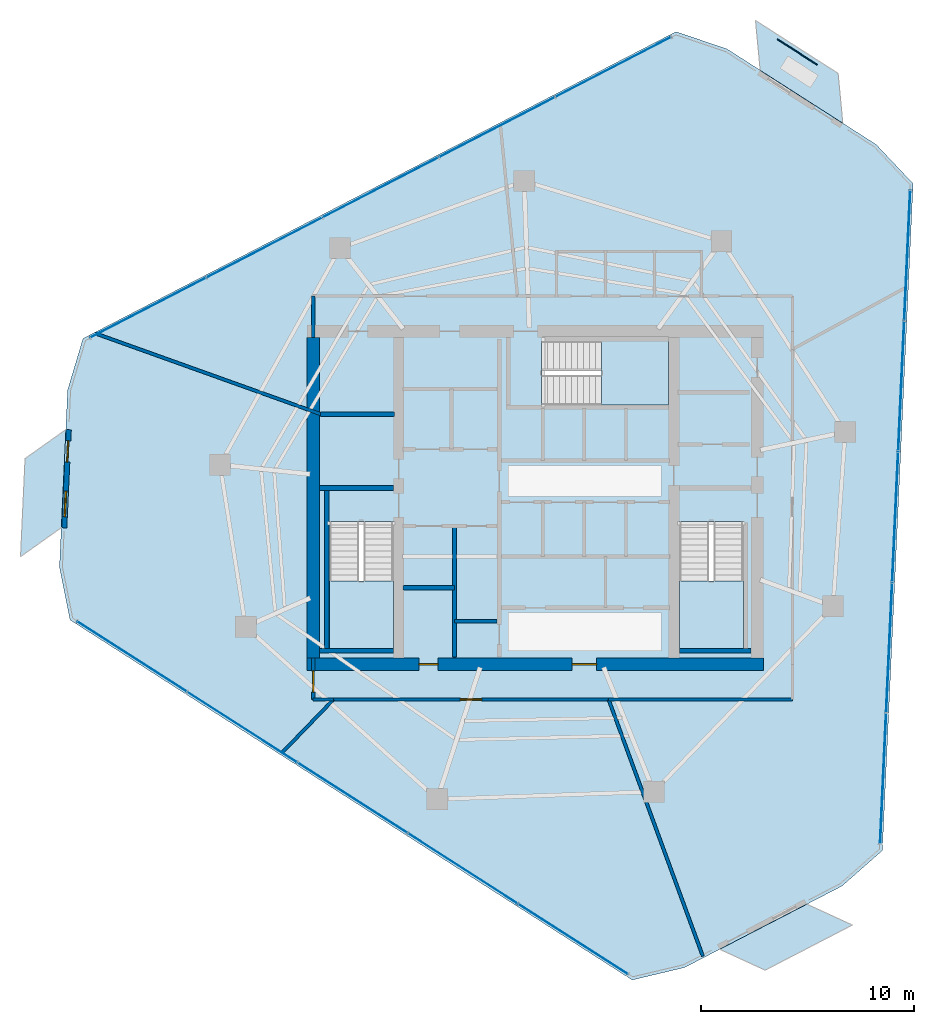
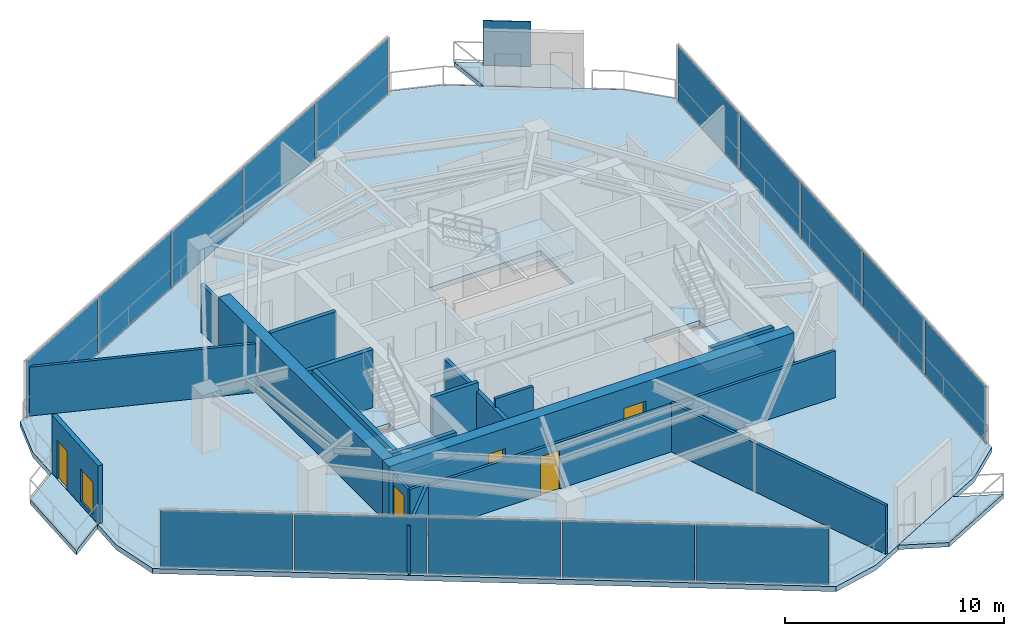
# One storey, part 15 of 20: 19 walls, 16 plates, 7 slabs, 5 doors, 1 window, 6 openings, 6 elements without a shape of their own.
"""IFC4 building model written with IfcOpenShell, lengths in metres."""

from ifc_helpers import new_model, si_unit, direction, frame, frame_2d, origin, origin_2d, place, context, subcontext, project, spatial, polyline, rectangle, outline, extrude, material, layer, layer_set, type_object, element, fill, aggregate, save


model = new_model("IFC4")

# Units and contexts
model_context = context("Model", 3, precision=1e-05, world=origin(), true_north=direction((0.0, 1.0)))
body_context = subcontext(model_context, "Body", "Model", "MODEL_VIEW")
ifc_project = project(units=[si_unit("LENGTHUNIT", "METRE"), si_unit("AREAUNIT", "SQUARE_METRE"), si_unit("VOLUMEUNIT", "CUBIC_METRE"), si_unit("PLANEANGLEUNIT", "RADIAN"), si_unit("MASSUNIT", "GRAM", prefix="KILO")], contexts=[model_context])

# Site, building, storey
site_placement = place(None, origin())
site = spatial("IfcSite", under=ifc_project, at=site_placement, CompositionType="ELEMENT")
building_placement = place(site_placement, origin())
building = spatial("IfcBuilding", under=site, at=building_placement, Name="Qarnah Convention Tower", CompositionType="ELEMENT")
storey_placement = place(building_placement, frame((0.0, 0.0, 168.89990234375)))
storey = spatial("IfcBuildingStorey", under=building, at=storey_placement, Name="L45", CompositionType="ELEMENT", Elevation=168.89990234375)

# Curtain wall, plates
ifc_material_1 = material(Name="Tempered Low-E dark glass", Category="glass")
ifc_layer_1 = layer(ifc_material_1, 0.172119140625)
ifc_layer_set_1 = layer_set([ifc_layer_1], Name="Tempered Low-E dark glass")
curtain_wall_type = type_object("IfcCurtainWallType", Name="CWS-03", PredefinedType="NOTDEFINED", material=ifc_layer_set_1)
curtain_wall_1_placement = place(storey_placement, origin())
curtain_wall_1 = element("IfcCurtainWall", 1, at=curtain_wall_1_placement, inside=storey, type_object=curtain_wall_type, Name="L45 unitised curtain wall CW-L45-F1", PredefinedType="NOTDEFINED")
ifc_layer_2 = layer(ifc_material_1, 0.031982421875)
ifc_layer_set_2 = layer_set([ifc_layer_2], Name="Tempered Low-E dark glass")
plate_type_1 = type_object("IfcPlateType", Name="PNL-T3", PredefinedType="CURTAIN_PANEL", material=ifc_layer_set_2)
plate_1_placement = place(storey_placement, frame((38.9716796875, 5.724609375, 0.0400390625), z_axis=(0.0, 0.0, 1.0), x_axis=(-0.84208072788, 0.539351506657, 0.0)))
plate_1 = element("IfcPlate", 2, at=plate_1_placement, type_object=plate_type_1, Name="CW-L45-F1 curtain panel 1.1", PredefinedType="CURTAIN_PANEL", context=body_context, shape_type="SweptSolid", body=[
    extrude(rectangle(XDim=6.055419921875, YDim=0.031982421875, at=origin_2d()), origin(), (0.0, 0.0, 1.0), 3.159912109375),
])
plate_2_placement = place(storey_placement, frame((33.80517578125, 9.03369140625, 0.0400390625), z_axis=(0.0, 0.0, 1.0), x_axis=(-0.84208072788, 0.539351506657, 0.0)))
plate_2 = element("IfcPlate", 3, at=plate_2_placement, type_object=plate_type_1, Name="CW-L45-F1 curtain panel 2.1", PredefinedType="CURTAIN_PANEL", context=body_context, shape_type="SweptSolid", body=[
    extrude(rectangle(XDim=6.055419921875, YDim=0.031982421875, at=origin_2d()), origin(), (0.0, 0.0, 1.0), 3.159912109375),
])
plate_3_placement = place(storey_placement, frame((28.638427734375, 12.343017578125, 0.0400390625), z_axis=(0.0, 0.0, 1.0), x_axis=(-0.84208072788, 0.539351506657, 0.0)))
plate_3 = element("IfcPlate", 4, at=plate_3_placement, type_object=plate_type_1, Name="CW-L45-F1 curtain panel 3.1", PredefinedType="CURTAIN_PANEL", context=body_context, shape_type="SweptSolid", body=[
    extrude(rectangle(XDim=6.055419921875, YDim=0.031982421875, at=origin_2d()), origin(), (0.0, 0.0, 1.0), 3.159912109375),
])
plate_4_placement = place(storey_placement, frame((23.471923828125, 15.652099609375, 0.0400390625), z_axis=(0.0, 0.0, 1.0), x_axis=(-0.84208072788, 0.539351506657, 0.0)))
plate_4 = element("IfcPlate", 5, at=plate_4_placement, type_object=plate_type_1, Name="CW-L45-F1 curtain panel 4.1", PredefinedType="CURTAIN_PANEL", context=body_context, shape_type="SweptSolid", body=[
    extrude(rectangle(XDim=6.055419921875, YDim=0.031982421875, at=origin_2d()), origin(), (0.0, 0.0, 1.0), 3.159912109375),
])
plate_5_placement = place(storey_placement, frame((18.305419921875, 18.96142578125, 0.0400390625), z_axis=(0.0, 0.0, 1.0), x_axis=(-0.84208072788, 0.539351506657, 0.0)))
plate_5 = element("IfcPlate", 6, at=plate_5_placement, type_object=plate_type_1, Name="CW-L45-F1 curtain panel 5.1", PredefinedType="CURTAIN_PANEL", context=body_context, shape_type="SweptSolid", body=[
    extrude(rectangle(XDim=6.055419921875, YDim=0.031982421875, at=origin_2d()), origin(), (0.0, 0.0, 1.0), 3.159912109375),
])
aggregate(curtain_wall_1, [plate_1, plate_2, plate_3, plate_4, plate_5])

curtain_wall_2_placement = place(storey_placement, origin())
curtain_wall_2 = element("IfcCurtainWall", 7, at=curtain_wall_2_placement, inside=storey, type_object=curtain_wall_type, Name="L45 unitised curtain wall CW-L45-F2", PredefinedType="NOTDEFINED")
plate_6_placement = place(storey_placement, frame((19.0595703125, 35.306884765625, 0.0400390625), z_axis=(0.0, 0.0, 1.0), x_axis=(0.888134603935, 0.459583425826, 0.0)))
plate_6 = element("IfcPlate", 8, at=plate_6_placement, type_object=plate_type_1, Name="CW-L45-F2 curtain panel 1.1", PredefinedType="CURTAIN_PANEL", context=body_context, shape_type="SweptSolid", body=[
    extrude(rectangle(XDim=6.0556640625, YDim=0.031982421875, at=origin_2d()), origin(), (0.0, 0.0, 1.0), 3.159912109375),
])
plate_7_placement = place(storey_placement, frame((24.5087890625, 38.126708984375, 0.0400390625), z_axis=(0.0, 0.0, 1.0), x_axis=(0.888134603935, 0.459583425826, 0.0)))
plate_7 = element("IfcPlate", 9, at=plate_7_placement, type_object=plate_type_1, Name="CW-L45-F2 curtain panel 2.1", PredefinedType="CURTAIN_PANEL", context=body_context, shape_type="SweptSolid", body=[
    extrude(rectangle(XDim=6.0556640625, YDim=0.031982421875, at=origin_2d()), origin(), (0.0, 0.0, 1.0), 3.159912109375),
])
plate_8_placement = place(storey_placement, frame((29.9580078125, 40.946533203125, 0.0400390625), z_axis=(0.0, 0.0, 1.0), x_axis=(0.888134603935, 0.459583425826, 0.0)))
plate_8 = element("IfcPlate", 10, at=plate_8_placement, type_object=plate_type_1, Name="CW-L45-F2 curtain panel 3.1", PredefinedType="CURTAIN_PANEL", context=body_context, shape_type="SweptSolid", body=[
    extrude(rectangle(XDim=6.0556640625, YDim=0.031982421875, at=origin_2d()), origin(), (0.0, 0.0, 1.0), 3.159912109375),
])
plate_9_placement = place(storey_placement, frame((35.4072265625, 43.766357421875, 0.0400390625), z_axis=(0.0, 0.0, 1.0), x_axis=(0.888134603935, 0.459583425826, 0.0)))
plate_9 = element("IfcPlate", 11, at=plate_9_placement, type_object=plate_type_1, Name="CW-L45-F2 curtain panel 4.1", PredefinedType="CURTAIN_PANEL", context=body_context, shape_type="SweptSolid", body=[
    extrude(rectangle(XDim=6.0556640625, YDim=0.031982421875, at=origin_2d()), origin(), (0.0, 0.0, 1.0), 3.159912109375),
])
plate_10_placement = place(storey_placement, frame((40.8564453125, 46.586181640625, 0.0400390625), z_axis=(0.0, 0.0, 1.0), x_axis=(0.888134603935, 0.459583425826, 0.0)))
plate_10 = element("IfcPlate", 12, at=plate_10_placement, type_object=plate_type_1, Name="CW-L45-F2 curtain panel 5.1", PredefinedType="CURTAIN_PANEL", context=body_context, shape_type="SweptSolid", body=[
    extrude(rectangle(XDim=6.0556640625, YDim=0.031982421875, at=origin_2d()), origin(), (0.0, 0.0, 1.0), 3.159912109375),
])
aggregate(curtain_wall_2, [plate_6, plate_7, plate_8, plate_9, plate_10])

curtain_wall_3_placement = place(storey_placement, origin())
curtain_wall_3 = element("IfcCurtainWall", 13, at=curtain_wall_3_placement, inside=storey, type_object=curtain_wall_type, Name="L45 unitised curtain wall CW-L45-F3", PredefinedType="NOTDEFINED")
plate_11_placement = place(storey_placement, frame((54.6337890625, 37.760498046875, 0.0400390625), z_axis=(0.0, 0.0, 1.0), x_axis=(-0.04605972752, -0.998938687558, 0.0)))
plate_11 = element("IfcPlate", 14, at=plate_11_placement, type_object=plate_type_1, Name="CW-L45-F3 curtain panel 1.1", PredefinedType="CURTAIN_PANEL", context=body_context, shape_type="SweptSolid", body=[
    extrude(rectangle(XDim=6.055419921875, YDim=0.031982421875, at=origin_2d()), origin(), (0.0, 0.0, 1.0), 3.159912109375),
])
plate_12_placement = place(storey_placement, frame((54.35107421875, 31.631591796875, 0.0400390625), z_axis=(0.0, 0.0, 1.0), x_axis=(-0.04605972752, -0.998938687558, 0.0)))
plate_12 = element("IfcPlate", 15, at=plate_12_placement, type_object=plate_type_1, Name="CW-L45-F3 curtain panel 2.1", PredefinedType="CURTAIN_PANEL", context=body_context, shape_type="SweptSolid", body=[
    extrude(rectangle(XDim=6.055419921875, YDim=0.031982421875, at=origin_2d()), origin(), (0.0, 0.0, 1.0), 3.159912109375),
])
plate_13_placement = place(storey_placement, frame((54.068603515625, 25.50244140625, 0.0400390625), z_axis=(0.0, 0.0, 1.0), x_axis=(-0.04605972752, -0.998938687558, 0.0)))
plate_13 = element("IfcPlate", 16, at=plate_13_placement, type_object=plate_type_1, Name="CW-L45-F3 curtain panel 3.1", PredefinedType="CURTAIN_PANEL", context=body_context, shape_type="SweptSolid", body=[
    extrude(rectangle(XDim=6.055419921875, YDim=0.031982421875, at=origin_2d()), origin(), (0.0, 0.0, 1.0), 3.159912109375),
])
plate_14_placement = place(storey_placement, frame((53.785888671875, 19.37353515625, 0.0400390625), z_axis=(0.0, 0.0, 1.0), x_axis=(-0.04605972752, -0.998938687558, 0.0)))
plate_14 = element("IfcPlate", 17, at=plate_14_placement, type_object=plate_type_1, Name="CW-L45-F3 curtain panel 4.1", PredefinedType="CURTAIN_PANEL", context=body_context, shape_type="SweptSolid", body=[
    extrude(rectangle(XDim=6.055419921875, YDim=0.031982421875, at=origin_2d()), origin(), (0.0, 0.0, 1.0), 3.159912109375),
])
plate_15_placement = place(storey_placement, frame((53.50341796875, 13.244384765625, 0.0400390625), z_axis=(0.0, 0.0, 1.0), x_axis=(-0.04605972752, -0.998938687558, 0.0)))
plate_15 = element("IfcPlate", 18, at=plate_15_placement, type_object=plate_type_1, Name="CW-L45-F3 curtain panel 5.1", PredefinedType="CURTAIN_PANEL", context=body_context, shape_type="SweptSolid", body=[
    extrude(rectangle(XDim=6.055419921875, YDim=0.031982421875, at=origin_2d()), origin(), (0.0, 0.0, 1.0), 3.159912109375),
])
aggregate(curtain_wall_3, [plate_11, plate_12, plate_13, plate_14, plate_15])

# Plate
ifc_material_2 = material(Name="Black anodised aluminium", Category="aluminium")
ifc_layer_3 = layer(ifc_material_2, 0.044921875)
ifc_layer_set_3 = layer_set([ifc_layer_3], Name="Black anodised aluminium")
plate_type_2 = type_object("IfcPlateType", Name="SCR-BAL-18", PredefinedType="USERDEFINED", material=ifc_layer_set_3)
plate_16_placement = place(storey_placement, frame((49.47998046875, 47.2880859375, 0.0), z_axis=(0.0, 0.0, 1.0), x_axis=(0.842045933981, -0.539405825947, 0.0)))
element("IfcPlate", 19, at=plate_16_placement, inside=storey, type_object=plate_type_2, Name="L45 perforated desert solar screen BAL-L45-C1", ObjectType="SCREEN", PredefinedType="USERDEFINED", context=body_context, shape_type="SweptSolid", body=[
    extrude(rectangle(XDim=2.199951171875, YDim=0.044921875, at=origin_2d()), origin(), (0.0, 0.0, 1.0), 2.5),
])

# Slabs
ifc_material_3 = material(Name="Concrete C45/55", Category="concrete")
ifc_layer_4 = layer(ifc_material_3, 0.239990234375)
ifc_layer_set_4 = layer_set([ifc_layer_4], Name="Concrete C45/55")
slab_type_1 = type_object("IfcSlabType", Name="SLB-BAL-240", PredefinedType="USERDEFINED", material=ifc_layer_set_4)
slab_1_placement = place(storey_placement, frame((0.0, 0.0, -0.239990234375)))
element("IfcSlab", 20, at=slab_1_placement, inside=storey, type_object=slab_type_1, Name="L45 cantilevered balcony slab BAL-L45-C1", ObjectType="BALCONY", PredefinedType="USERDEFINED", context=body_context, shape_type="SweptSolid", body=[
    extrude(outline(polyline([(47.52099609375, 48.76708984375), (51.39404296875, 46.285888671875), (51.614013671875, 43.949951171875), (47.739990234375, 46.430908203125), (47.52099609375, 48.76708984375)])), origin(), (0.0, 0.0, 1.0), 0.239990234375),
])
slab_2_placement = place(storey_placement, frame((0.0, 0.0, -0.239990234375)))
element("IfcSlab", 21, at=slab_2_placement, inside=storey, type_object=slab_type_1, Name="L45 cantilevered balcony slab BAL-L45-C2", ObjectType="BALCONY", PredefinedType="USERDEFINED", context=body_context, shape_type="SweptSolid", body=[
    extrude(outline(polyline([(13.083984375, 23.64306640625), (13.2958984375, 28.238037109375), (15.2099609375, 29.596923828125), (14.9970703125, 25.001953125), (13.083984375, 23.64306640625)])), origin(), (0.0, 0.0, 1.0), 0.239990234375),
])
slab_3_placement = place(storey_placement, frame((0.0, 0.0, -0.239990234375)))
element("IfcSlab", 22, at=slab_3_placement, inside=storey, type_object=slab_type_1, Name="L45 cantilevered balcony slab BAL-L45-C3", ObjectType="BALCONY", PredefinedType="USERDEFINED", context=body_context, shape_type="SweptSolid", body=[
    extrude(outline(polyline([(52.06005859375, 6.382080078125), (47.97509765625, 4.26806640625), (45.843017578125, 5.24609375), (49.927978515625, 7.360107421875), (52.06005859375, 6.382080078125)])), origin(), (0.0, 0.0, 1.0), 0.239990234375),
])

# Stair, slab
ifc_material_4 = material(Name="Concrete C50/60", Category="concrete")
stair_type = type_object("IfcStairType", Name="STR-OFF", PredefinedType="HALF_TURN_STAIR", material=ifc_material_4)
stair_1_placement = place(storey_placement, origin())
stair_1 = element("IfcStair", 23, at=stair_1_placement, inside=storey, type_object=stair_type, Name="L45 Core exit stair ST-1", PredefinedType="HALF_TURN_STAIR")
ifc_layer_5 = layer(ifc_material_4, 0.199951171875)
ifc_layer_set_5 = layer_set([ifc_layer_5], Name="Concrete C50/60")
slab_type_2 = type_object("IfcSlabType", Name="SLB-LANDING-200", PredefinedType="LANDING", material=ifc_layer_set_5)
slab_4_placement = place(storey_placement, frame((0.0, 0.0, 1.60009765625)))
slab_4 = element("IfcSlab", 24, at=slab_4_placement, type_object=slab_type_2, Name="ST-1 landing 1", PredefinedType="LANDING", context=body_context, shape_type="SweptSolid", body=[
    extrude(outline(polyline([(27.550048828125, 22.5), (27.550048828125, 19.35009765625), (30.550048828125, 19.35009765625), (30.550048828125, 22.5), (27.550048828125, 22.5)])), origin(), (0.0, 0.0, 1.0), 0.199951171875),
])
aggregate(stair_1, [slab_4])

stair_2_placement = place(storey_placement, origin())
stair_2 = element("IfcStair", 25, at=stair_2_placement, inside=storey, type_object=stair_type, Name="L45 Core exit stair ST-2", PredefinedType="HALF_TURN_STAIR")
slab_5_placement = place(storey_placement, frame((0.0, 0.0, 1.60009765625)))
slab_5 = element("IfcSlab", 26, at=slab_5_placement, type_object=slab_type_2, Name="ST-2 landing 1", PredefinedType="LANDING", context=body_context, shape_type="SweptSolid", body=[
    extrude(outline(polyline([(43.949951171875, 22.5), (43.949951171875, 19.35009765625), (46.949951171875, 19.35009765625), (46.949951171875, 22.5), (43.949951171875, 22.5)])), origin(), (0.0, 0.0, 1.0), 0.199951171875),
])
aggregate(stair_2, [slab_5])

stair_3_placement = place(storey_placement, origin())
stair_3 = element("IfcStair", 27, at=stair_3_placement, inside=storey, type_object=stair_type, Name="L45 Core exit stair ST-3", PredefinedType="HALF_TURN_STAIR")
slab_6_placement = place(storey_placement, frame((0.0, 0.0, 1.60009765625)))
slab_6 = element("IfcSlab", 28, at=slab_6_placement, type_object=slab_type_2, Name="ST-3 landing 1", PredefinedType="LANDING", context=body_context, shape_type="SweptSolid", body=[
    extrude(outline(polyline([(40.300048828125, 30.75), (43.449951171875, 30.75), (43.449951171875, 33.75), (40.300048828125, 33.75), (40.300048828125, 30.75)])), origin(), (0.0, 0.0, 1.0), 0.199951171875),
])
aggregate(stair_3, [slab_6])

# Slab
ifc_layer_6 = layer(ifc_material_3, 0.280029296875)
ifc_layer_set_6 = layer_set([ifc_layer_6], Name="Concrete C45/55")
slab_type_3 = type_object("IfcSlabType", Name="SLB-TWR-280", PredefinedType="FLOOR", material=ifc_layer_set_6)
slab_7_placement = place(storey_placement, frame((0.0, 0.0, -0.27978515625)))
element("IfcSlab", 29, at=slab_7_placement, inside=storey, type_object=slab_type_3, Name="L45 structural floor slab", PredefinedType="FLOOR", context=body_context, shape_type="SweptSolid", body=[
    extrude(outline(polyline([(43.7919921875, 48.239990234375), (16.012939453125, 33.865966796875), (15.291015625, 31.448974609375), (14.907958984375, 23.14990234375), (15.405029296875, 20.677001953125), (41.742919921875, 3.806884765625), (44.197021484375, 4.389892578125), (51.574951171875, 8.2080078125), (53.468017578125, 9.875), (54.908935546875, 41.118896484375), (53.177001953125, 42.952880859375), (46.181884765625, 47.43408203125), (43.7919921875, 48.239990234375)]), holes=[polyline([(27.550048828125, 25.300048828125), (27.550048828125, 19.35009765625), (30.550048828125, 19.35009765625), (30.550048828125, 25.300048828125), (27.550048828125, 25.300048828125)]), polyline([(43.949951171875, 25.300048828125), (43.949951171875, 19.35009765625), (46.949951171875, 19.35009765625), (46.949951171875, 25.300048828125), (43.949951171875, 25.300048828125)]), polyline([(37.5, 30.75), (43.449951171875, 30.75), (43.449951171875, 33.75), (37.5, 33.75), (37.5, 30.75)])]), origin(), (0.0, 0.0, 1.0), 0.27978515625),
])

# Wall, openings, doors
ifc_material_5 = material(Name="Concrete C60/75", Category="concrete")
ifc_layer_7 = layer(ifc_material_5, 0.60009765625)
ifc_layer_set_7 = layer_set([ifc_layer_7], Name="Concrete C60/75")
wall_type_1 = type_object("IfcWallType", Name="WL-CORE-600", PredefinedType="SHEAR", material=ifc_layer_set_7)
wall_1_placement = place(storey_placement, frame((26.5, 18.60009765625, 0.0), z_axis=(0.0, 0.0, 1.0), x_axis=(1.0, 0.0, 0.0)))
wall_1 = element("IfcWall", 30, at=wall_1_placement, inside=storey, type_object=wall_type_1, Name="L45 core south shear wall", PredefinedType="SHEAR", context=body_context, shape_type="SweptSolid", body=[
    extrude(rectangle(XDim=21.39990234375, YDim=0.60009765625, at=frame_2d((10.699951171875, 0.0))), origin(), (0.0, 0.0, 1.0), 3.239990234375),
])
opening_1_placement = place(wall_1_placement, frame((12.425048828125, 0.0, 0.0)))
opening_1 = element("IfcOpeningElement", 31, at=opening_1_placement, cuts=wall_1, Name="Opening D-4507", PredefinedType="OPENING", context=body_context, shape_type="SweptSolid", body=[
    extrude(rectangle(XDim=1.14990234375, YDim=2.14990234375, at=frame_2d((0.574951171875, 1.074951171875))), frame((0.0, 0.31005859375, 0.0), z_axis=(0.0, -1.0, 0.0), x_axis=(1.0, 0.0, 0.0)), (0.0, 0.0, 1.0), 0.6201171875),
])
opening_2_placement = place(wall_1_placement, frame((5.25, 0.0, 0.0)))
opening_2 = element("IfcOpeningElement", 32, at=opening_2_placement, cuts=wall_1, Name="Opening D-4513", PredefinedType="OPENING", context=body_context, shape_type="SweptSolid", body=[
    extrude(rectangle(XDim=0.89990234375, YDim=2.10009765625, at=frame_2d((0.449951171875, 1.050048828125))), frame((0.0, 0.31005859375, 0.0), z_axis=(0.0, -1.0, 0.0), x_axis=(1.0, 0.0, 0.0)), (0.0, 0.0, 1.0), 0.6201171875),
])
ifc_material_6 = material(Name="Structural steel S355JR", Category="steel")
door_type_1 = type_object("IfcDoorType", Name="DT-LOBBY-1150", OperationType="NOTDEFINED", PredefinedType="DOOR", material=ifc_material_6)
door_1_placement = place(opening_1_placement, origin())
door_1 = element("IfcDoor", 33, at=door_1_placement, inside=storey, type_object=door_type_1, Name="Door D-4507", OperationType="SINGLE_SWING_RIGHT", OverallHeight=2.14990234375, OverallWidth=1.14990234375, PredefinedType="DOOR", context=body_context, shape_type="SweptSolid", body=[
    extrude(rectangle(XDim=1.14990234375, YDim=2.14990234375, at=frame_2d((0.574951171875, 1.074951171875))), frame((0.0, 0.02490234375, 0.0), z_axis=(0.0, -1.0, 0.0), x_axis=(1.0, 0.0, 0.0)), (0.0, 0.0, 1.0), 0.050048828125),
])
fill(opening_1, door_1)
door_type_2 = type_object("IfcDoorType", Name="DT-RISER-900", OperationType="NOTDEFINED", PredefinedType="DOOR", material=ifc_material_6)
door_2_placement = place(opening_2_placement, origin())
door_2 = element("IfcDoor", 34, at=door_2_placement, inside=storey, type_object=door_type_2, Name="Door D-4513", OperationType="SINGLE_SWING_RIGHT", OverallHeight=2.10009765625, OverallWidth=0.89990234375, PredefinedType="DOOR", context=body_context, shape_type="SweptSolid", body=[
    extrude(rectangle(XDim=0.89990234375, YDim=2.10009765625, at=frame_2d((0.449951171875, 1.050048828125))), frame((0.0, 0.02490234375, 0.0), z_axis=(0.0, -1.0, 0.0), x_axis=(1.0, 0.0, 0.0)), (0.0, 0.0, 1.0), 0.050048828125),
])
fill(opening_2, door_2)

# Walls
wall_2_placement = place(storey_placement, frame((26.800048828125, 18.89990234375, 0.0), z_axis=(0.0, 0.0, 1.0), x_axis=(0.0, 1.0, 0.0)))
element("IfcWall", 35, at=wall_2_placement, inside=storey, type_object=wall_type_1, Name="L45 core west shear wall", PredefinedType="SHEAR", context=body_context, shape_type="SweptSolid", body=[
    extrude(rectangle(XDim=15.0, YDim=0.60009765625, at=frame_2d((7.5, 0.0))), origin(), (0.0, 0.0, 1.0), 3.239990234375),
])
ifc_layer_8 = layer(ifc_material_3, 0.199951171875)
ifc_layer_set_8 = layer_set([ifc_layer_8], Name="Concrete C45/55")
wall_type_2 = type_object("IfcWallType", Name="WL-CORE-PART-200", PredefinedType="SOLIDWALL", material=ifc_layer_set_8)
wall_3_placement = place(storey_placement, frame((27.14990234375, 30.320068359375, 0.0), z_axis=(0.0, 0.0, 1.0), x_axis=(1.0, 0.0, 0.0)))
element("IfcWall", 36, at=wall_3_placement, inside=storey, type_object=wall_type_2, Name="L45 interior wall IW-L45-ELRN", PredefinedType="SOLIDWALL", context=body_context, shape_type="SweptSolid", body=[
    extrude(rectangle(XDim=3.4501953125, YDim=0.199951171875, at=frame_2d((1.72509765625, 0.0))), origin(), (0.0, 0.0, 1.0), 3.239990234375),
])
wall_4_placement = place(storey_placement, frame((33.419921875, 18.949951171875, 0.0), z_axis=(0.0, 0.0, 1.0), x_axis=(0.0, 1.0, 0.0)))
element("IfcWall", 37, at=wall_4_placement, inside=storey, type_object=wall_type_2, Name="L45 interior wall IW-L45-SVLE", PredefinedType="SOLIDWALL", context=body_context, shape_type="SweptSolid", body=[
    extrude(rectangle(XDim=6.130126953125, YDim=0.199951171875, at=frame_2d((3.06494140625, 0.0))), origin(), (0.0, 0.0, 1.0), 2.760986328125),
])
wall_5_placement = place(storey_placement, frame((31.0, 22.179931640625, 0.0), z_axis=(0.0, 0.0, 1.0), x_axis=(1.0, 0.0, 0.0)))
element("IfcWall", 38, at=wall_5_placement, inside=storey, type_object=wall_type_2, Name="L45 interior wall IW-L45-SVLS", PredefinedType="SOLIDWALL", context=body_context, shape_type="SweptSolid", body=[
    extrude(rectangle(XDim=2.419921875, YDim=0.199951171875, at=frame_2d((1.2099609375, 0.0))), origin(), (0.0, 0.0, 1.0), 3.239990234375),
])
ifc_layer_9 = layer(ifc_material_5, 0.219970703125)
ifc_layer_set_9 = layer_set([ifc_layer_9], Name="Concrete C60/75")
wall_type_3 = type_object("IfcWallType", Name="WL-CORE-STAIR-220", PredefinedType="SHEAR", material=ifc_layer_set_9)
wall_6_placement = place(storey_placement, frame((27.10009765625, 26.860107421875, 0.0), z_axis=(0.0, 0.0, 1.0), x_axis=(1.0, 0.0, 0.0)))
element("IfcWall", 39, at=wall_6_placement, inside=storey, type_object=wall_type_3, Name="L45 stair shaft shear wall SW-L45-ST1N", PredefinedType="SHEAR", context=body_context, shape_type="SweptSolid", body=[
    extrude(rectangle(XDim=3.449951171875, YDim=0.219970703125, at=frame_2d((1.72509765625, 0.0))), origin(), (0.0, 0.0, 1.0), 3.239990234375),
])
wall_7_placement = place(storey_placement, frame((27.43994140625, 19.35009765625, 0.0), z_axis=(0.0, 0.0, 1.0), x_axis=(0.0, 1.0, 0.0)))
element("IfcWall", 40, at=wall_7_placement, inside=storey, type_object=wall_type_3, Name="L45 stair shaft shear wall SW-L45-ST1W", PredefinedType="SHEAR", context=body_context, shape_type="SweptSolid", body=[
    extrude(rectangle(XDim=7.39990234375, YDim=0.219970703125, at=frame_2d((3.699951171875, 0.0))), origin(), (0.0, 0.0, 1.0), 3.239990234375),
])
wall_8_placement = place(storey_placement, frame((27.10009765625, 19.239990234375, 0.0), z_axis=(0.0, 0.0, 1.0), x_axis=(1.0, 0.0, 0.0)))
element("IfcWall", 41, at=wall_8_placement, inside=storey, type_object=wall_type_3, Name="L45 stair shaft shear wall SW-L45-ST1S", PredefinedType="SHEAR", context=body_context, shape_type="SweptSolid", body=[
    extrude(rectangle(XDim=3.449951171875, YDim=0.219970703125, at=frame_2d((1.72509765625, 0.0))), origin(), (0.0, 0.0, 1.0), 3.239990234375),
])
wall_9_placement = place(storey_placement, frame((43.949951171875, 19.239990234375, 0.0), z_axis=(0.0, 0.0, 1.0), x_axis=(1.0, 0.0, 0.0)))
element("IfcWall", 42, at=wall_9_placement, inside=storey, type_object=wall_type_3, Name="L45 stair shaft shear wall SW-L45-ST2S", PredefinedType="SHEAR", context=body_context, shape_type="SweptSolid", body=[
    extrude(rectangle(XDim=3.35009765625, YDim=0.219970703125, at=frame_2d((1.675048828125, 0.0))), origin(), (0.0, 0.0, 1.0), 3.239990234375),
])

# Wall, openings, door, window
ifc_material_7 = material(Name="Precast concrete C45/55", Category="concrete")
ifc_layer_10 = layer(ifc_material_7, 0.239990234375)
ifc_layer_set_10 = layer_set([ifc_layer_10], Name="Precast concrete C45/55")
wall_type_4 = type_object("IfcWallType", Name="WL-EXT-BAL-240", PredefinedType="SOLIDWALL", material=ifc_layer_set_10)
wall_10_placement = place(storey_placement, frame((15.133056640625, 24.9951171875, 0.0), z_axis=(0.0, 0.0, 1.0), x_axis=(0.046059961298, 0.998938676779, 0.0)))
wall_10 = element("IfcWall", 43, at=wall_10_placement, inside=storey, type_object=wall_type_4, Name="L45 loggia threshold wall BAL-L45-C2", PredefinedType="SOLIDWALL", context=body_context, shape_type="SweptSolid", body=[
    extrude(rectangle(XDim=4.600830078125, YDim=0.239990234375, at=frame_2d((2.30029296875, 0.0))), origin(), (0.0, 0.0, 1.0), 3.239990234375),
])
opening_3_placement = place(wall_10_placement, frame((3.0810546875, 0.0, 0.0)))
opening_3 = element("IfcOpeningElement", 44, at=opening_3_placement, cuts=wall_10, Name="Opening BD-4502", PredefinedType="OPENING", context=body_context, shape_type="SweptSolid", body=[
    extrude(rectangle(XDim=1.0, YDim=2.14990234375, at=frame_2d((0.5, 1.074951171875))), frame((0.0, 0.1298828125, 0.0), z_axis=(0.0, -1.0, 0.0), x_axis=(1.0, 0.0, 0.0)), (0.0, 0.0, 1.0), 0.260009765625),
])
opening_4_placement = place(wall_10_placement, frame((0.52001953125, 0.0, 0.199951171875)))
opening_4 = element("IfcOpeningElement", 45, at=opening_4_placement, cuts=wall_10, Name="Opening WN5", PredefinedType="OPENING", context=body_context, shape_type="SweptSolid", body=[
    extrude(rectangle(XDim=1.199951171875, YDim=1.800048828125, at=frame_2d((0.60009765625, 0.89990234375))), frame((0.0, 0.1298828125, 0.0), z_axis=(0.0, -1.0, 0.0), x_axis=(1.0, 0.0, 0.0)), (0.0, 0.0, 1.0), 0.260009765625),
])
door_type_3 = type_object("IfcDoorType", Name="DT-BAL-1000", OperationType="NOTDEFINED", PredefinedType="DOOR", material=ifc_material_2)
door_3_placement = place(opening_3_placement, origin())
door_3 = element("IfcDoor", 46, at=door_3_placement, inside=storey, type_object=door_type_3, Name="L45 balcony terrace door BAL-L45-C2", OperationType="SINGLE_SWING_LEFT", OverallHeight=2.14990234375, OverallWidth=1.0, PredefinedType="DOOR", context=body_context, shape_type="SweptSolid", body=[
    extrude(rectangle(XDim=1.0, YDim=2.14990234375, at=frame_2d((0.5, 1.074951171875))), frame((0.0, 0.02490234375, 0.0), z_axis=(0.0, -1.0, 0.0), x_axis=(1.0, 0.0, 0.0)), (0.0, 0.0, 1.0), 0.050048828125),
])
fill(opening_3, door_3)
window_type = type_object("IfcWindowType", Name="WT-BAL-1200X1800", PartitioningType="SINGLE_PANEL", PredefinedType="WINDOW", material=ifc_material_1)
window_placement = place(opening_4_placement, origin())
window = element("IfcWindow", 47, at=window_placement, inside=storey, type_object=window_type, Name="Window BW-BAL-L45-C2", OverallHeight=1.800048828125, OverallWidth=1.199951171875, PartitioningType="SINGLE_PANEL", PredefinedType="WINDOW", context=body_context, shape_type="SweptSolid", body=[
    extrude(rectangle(XDim=1.199951171875, YDim=1.800048828125, at=frame_2d((0.60009765625, 0.89990234375))), frame((0.0, 0.030029296875, 0.0), z_axis=(0.0, -1.0, 0.0), x_axis=(1.0, 0.0, 0.0)), (0.0, 0.0, 1.0), 0.06005859375),
])
fill(opening_4, window)

# Walls
ifc_material_8 = material(Name="Gypsum partition board")
ifc_layer_11 = layer(ifc_material_8, 0.14990234375)
ifc_layer_set_11 = layer_set([ifc_layer_11], Name="Gypsum partition board")
wall_type_5 = type_object("IfcWallType", Name="WL-SUITE-150", PredefinedType="PARTITIONING", material=ifc_layer_set_11)
wall_11_placement = place(storey_placement, frame((33.419921875, 20.6201171875, 0.0), z_axis=(0.0, 0.0, 1.0), x_axis=(1.0, 0.0, 0.0)))
element("IfcWall", 48, at=wall_11_placement, inside=storey, type_object=wall_type_5, Name="L45 interior wall IW-L45-CSV1", PredefinedType="PARTITIONING", context=body_context, shape_type="SweptSolid", body=[
    extrude(rectangle(XDim=2.0, YDim=0.14990234375, at=frame_2d((1.0, 0.0))), origin(), (0.0, 0.0, 1.0), 3.239990234375),
])
wall_12_placement = place(storey_placement, frame((16.594970703125, 34.10107421875, 0.0), z_axis=(0.0, 0.0, 1.0), x_axis=(0.941419775025, -0.337237019309, 0.0)))
element("IfcWall", 49, at=wall_12_placement, inside=storey, type_object=wall_type_5, Name="L45 interior wall IW-L45-R-18", PredefinedType="PARTITIONING", context=body_context, shape_type="SweptSolid", body=[
    extrude(rectangle(XDim=11.211669921875, YDim=0.14990234375, at=frame_2d((5.60595703125, 0.0))), origin(), (0.0, 0.0, 1.0), 2.72509765625),
])
wall_13_placement = place(storey_placement, frame((26.800048828125, 33.89990234375, 0.0), z_axis=(0.0, 0.0, 1.0), x_axis=(0.0, 1.0, 0.0)))
element("IfcWall", 50, at=wall_13_placement, inside=storey, type_object=wall_type_5, Name="L45 interior wall IW-L45-R-19", PredefinedType="PARTITIONING", context=body_context, shape_type="SweptSolid", body=[
    extrude(rectangle(XDim=1.9501953125, YDim=0.14990234375, at=frame_2d((0.97509765625, 0.0))), origin(), (0.0, 0.0, 1.0), 2.72509765625),
])
wall_14_placement = place(storey_placement, frame((25.31005859375, 14.426025390625, 0.0), z_axis=(0.0, 0.0, 1.0), x_axis=(0.695043667408, 0.718967523881, 0.0)))
element("IfcWall", 51, at=wall_14_placement, inside=storey, type_object=wall_type_5, Name="L45 interior wall IW-L45-R-21", PredefinedType="PARTITIONING", context=body_context, shape_type="SweptSolid", body=[
    extrude(rectangle(XDim=3.510498046875, YDim=0.14990234375, at=frame_2d((1.75537109375, 0.0))), origin(), (0.0, 0.0, 1.0), 2.72509765625),
])
wall_15_placement = place(storey_placement, frame((27.75, 16.949951171875, 0.0), z_axis=(0.0, 0.0, 1.0), x_axis=(-1.0, 0.0, 0.0)))
element("IfcWall", 52, at=wall_15_placement, inside=storey, type_object=wall_type_5, Name="L45 interior wall IW-L45-R-22", PredefinedType="PARTITIONING", context=body_context, shape_type="SweptSolid", body=[
    extrude(rectangle(XDim=0.949951171875, YDim=0.14990234375, at=frame_2d((0.47509765625, 0.0))), origin(), (0.0, 0.0, 1.0), 2.72509765625),
])

# Wall, opening, door
wall_16_placement = place(storey_placement, frame((26.800048828125, 16.949951171875, 0.0), z_axis=(0.0, 0.0, 1.0), x_axis=(0.0, 1.0, 0.0)))
wall_16 = element("IfcWall", 53, at=wall_16_placement, inside=storey, type_object=wall_type_5, Name="L45 interior wall IW-L45-R-23", PredefinedType="PARTITIONING", context=body_context, shape_type="SweptSolid", body=[
    extrude(rectangle(XDim=1.949951171875, YDim=0.14990234375, at=frame_2d((0.97509765625, 0.0))), origin(), (0.0, 0.0, 1.0), 2.72509765625),
])
opening_5_placement = place(wall_16_placement, frame((0.341064453125, 0.0, 0.0)))
opening_5 = element("IfcOpeningElement", 54, at=opening_5_placement, cuts=wall_16, Name="Opening D-4523", PredefinedType="OPENING", context=body_context, shape_type="SweptSolid", body=[
    extrude(rectangle(XDim=1.0, YDim=2.14990234375, at=frame_2d((0.5, 1.074951171875))), frame((0.0, 0.0849609375, 0.0), z_axis=(0.0, -1.0, 0.0), x_axis=(1.0, 0.0, 0.0)), (0.0, 0.0, 1.0), 0.169921875),
])
ifc_material_9 = material(Name="Oak timber veneer", Category="wood")
door_type_4 = type_object("IfcDoorType", Name="DT-OFFICE-1000", OperationType="NOTDEFINED", PredefinedType="DOOR", material=ifc_material_9)
door_4_placement = place(opening_5_placement, origin())
door_4 = element("IfcDoor", 55, at=door_4_placement, inside=storey, type_object=door_type_4, Name="Door D-4523", OperationType="SINGLE_SWING_RIGHT", OverallHeight=2.14990234375, OverallWidth=1.0, PredefinedType="DOOR", context=body_context, shape_type="SweptSolid", body=[
    extrude(rectangle(XDim=1.0, YDim=2.14990234375, at=frame_2d((0.5, 1.074951171875))), frame((0.0, 0.02490234375, 0.0), z_axis=(0.0, -1.0, 0.0), x_axis=(1.0, 0.0, 0.0)), (0.0, 0.0, 1.0), 0.050048828125),
])
fill(opening_5, door_4)

# Wall
wall_17_placement = place(storey_placement, frame((45.054931640625, 4.923095703125, 0.0), z_axis=(0.0, 0.0, 1.0), x_axis=(-0.344611857518, 0.938745262389, 0.0)))
element("IfcWall", 56, at=wall_17_placement, inside=storey, type_object=wall_type_5, Name="L45 interior wall IW-L45-R-24", PredefinedType="PARTITIONING", context=body_context, shape_type="SweptSolid", body=[
    extrude(rectangle(XDim=12.8115234375, YDim=0.14990234375, at=frame_2d((6.40576171875, 0.0))), origin(), (0.0, 0.0, 1.0), 2.72509765625),
])

# Wall, opening, door
wall_18_placement = place(storey_placement, frame((40.639892578125, 16.949951171875, 0.0), z_axis=(0.0, 0.0, 1.0), x_axis=(-1.0, 0.0, 0.0)))
wall_18 = element("IfcWall", 57, at=wall_18_placement, inside=storey, type_object=wall_type_5, Name="L45 interior wall IW-L45-R-25", PredefinedType="PARTITIONING", context=body_context, shape_type="SweptSolid", body=[
    extrude(rectangle(XDim=12.889892578125, YDim=0.14990234375, at=frame_2d((6.44482421875, 0.0))), origin(), (0.0, 0.0, 1.0), 2.607177734375),
])
opening_6_placement = place(wall_18_placement, frame((5.945068359375, 0.0, 0.0)))
opening_6 = element("IfcOpeningElement", 58, at=opening_6_placement, cuts=wall_18, Name="Opening D-4524", PredefinedType="OPENING", context=body_context, shape_type="SweptSolid", body=[
    extrude(rectangle(XDim=1.0, YDim=2.14990234375, at=frame_2d((0.5, 1.074951171875))), frame((0.0, 0.0849609375, 0.0), z_axis=(0.0, -1.0, 0.0), x_axis=(1.0, 0.0, 0.0)), (0.0, 0.0, 1.0), 0.169921875),
])
door_5_placement = place(opening_6_placement, origin())
door_5 = element("IfcDoor", 59, at=door_5_placement, inside=storey, type_object=door_type_4, Name="Door D-4524", OperationType="SINGLE_SWING_LEFT", OverallHeight=2.14990234375, OverallWidth=1.0, PredefinedType="DOOR", context=body_context, shape_type="SweptSolid", body=[
    extrude(rectangle(XDim=1.0, YDim=2.14990234375, at=frame_2d((0.5, 1.074951171875))), frame((0.0, 0.02490234375, 0.0), z_axis=(0.0, -1.0, 0.0), x_axis=(1.0, 0.0, 0.0)), (0.0, 0.0, 1.0), 0.050048828125),
])
fill(opening_6, door_5)

# Wall
wall_19_placement = place(storey_placement, frame((49.25, 16.949951171875, 0.0), z_axis=(0.0, 0.0, 1.0), x_axis=(-1.0, 0.0, 0.0)))
element("IfcWall", 60, at=wall_19_placement, inside=storey, type_object=wall_type_5, Name="L45 interior wall IW-L45-R-28", PredefinedType="PARTITIONING", context=body_context, shape_type="SweptSolid", body=[
    extrude(rectangle(XDim=8.610107421875, YDim=0.14990234375, at=frame_2d((4.30517578125, 0.0))), origin(), (0.0, 0.0, 1.0), 2.607177734375),
])

save(model, "model.ifc")
